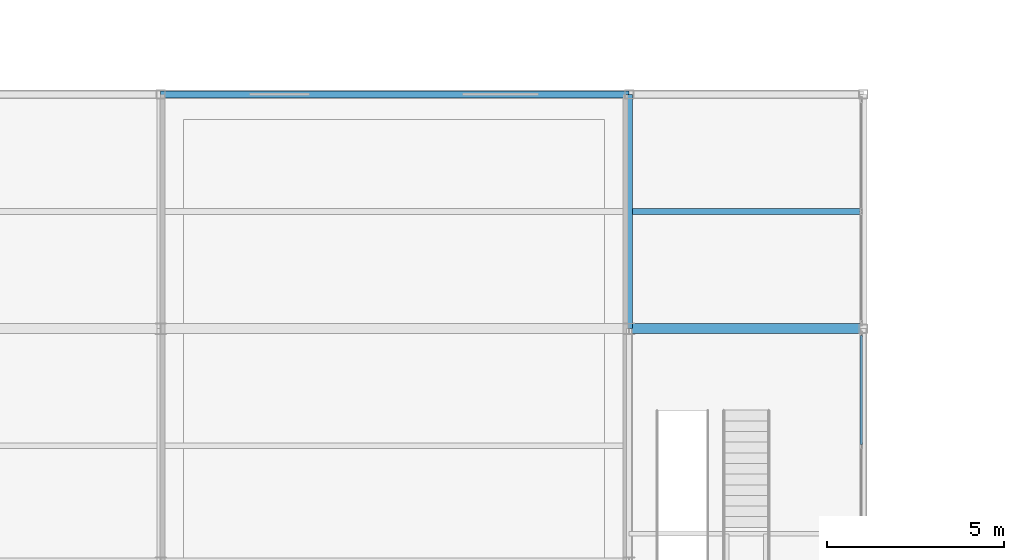
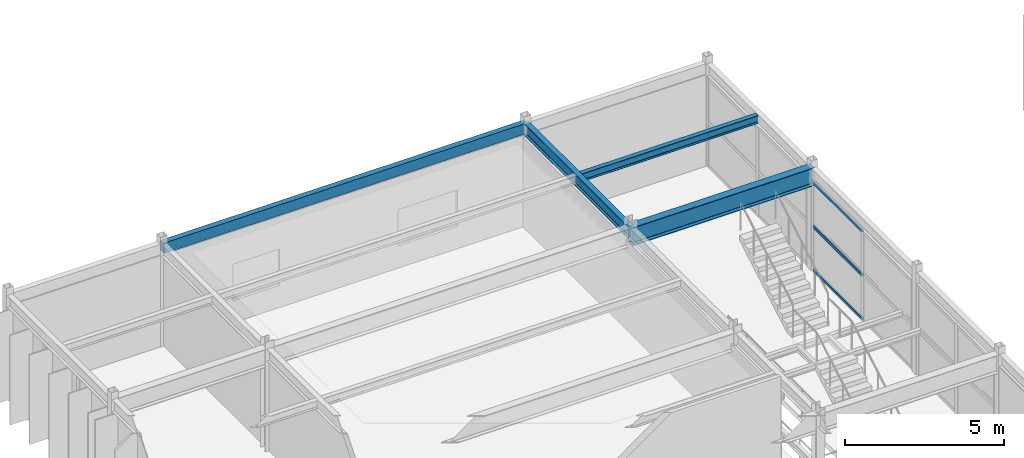
# One storey, part 70 of 147: 4 beams, 3 members, 1 element without a shape of its own.
"""IFC4 building model written with IfcOpenShell, lengths in metres."""

from ifc_helpers import new_model, si_unit, direction, frame, origin, origin_2d, place, context, subcontext, project, spatial, hollow_rectangle, i_section, extrude, material, material_profile, profile_set, type_object, element, aggregate, save


model = new_model("IFC4")

# Units and contexts
model_context = context("Model", 3, precision=1e-05, world=origin(), true_north=direction((0.0, 1.0)))
body_context = subcontext(model_context, "Body", "Model", "MODEL_VIEW")
ifc_project = project(units=[si_unit("LENGTHUNIT", "METRE"), si_unit("AREAUNIT", "SQUARE_METRE"), si_unit("VOLUMEUNIT", "CUBIC_METRE"), si_unit("PLANEANGLEUNIT", "RADIAN"), si_unit("MASSUNIT", "GRAM", prefix="KILO")], contexts=[model_context])

# Site, building, storey
site_placement = place(None, origin())
site = spatial("IfcSite", under=ifc_project, at=site_placement, CompositionType="ELEMENT")
building_placement = place(site_placement, origin())
building = spatial("IfcBuilding", under=site, at=building_placement, Name="Karori Crest Natural Sciences Institute", CompositionType="ELEMENT")
storey_placement = place(building_placement, frame((0.0, 0.0, 9.10009765625)))
storey = spatial("IfcBuildingStorey", under=building, at=storey_placement, Name="L02", CompositionType="ELEMENT", Elevation=9.10009765625)

# Beams
ifc_material_1 = material(Name="Structural steel AS/NZS 3679.1 Grade 350", Category="steel")
ifc_material_profile_1 = material_profile(ifc_material_1, i_section(OverallWidth=0.27490234375, OverallDepth=0.699951171875, WebThickness=0.010009765625, FlangeThickness=0.02001953125, FilletRadius=0.013916015625, at=origin_2d()), Name="700WB150")
ifc_profile_set_1 = profile_set([ifc_material_profile_1], Name="Structural steel AS/NZS 3679.1 Grade 350")
beam_type_1 = type_object("IfcBeamType", Name="BT-03", PredefinedType="BEAM", material=ifc_profile_set_1)
beam_1_placement = place(storey_placement, frame((20.60009765625, 66.800048828125, 3.56982421875), z_axis=(1.0, 0.0, 0.0), x_axis=(0.0, 1.0, 0.0)))
element("IfcBeam", 1, at=beam_1_placement, inside=storey, type_object=beam_type_1, Name="Beam B-1092", PredefinedType="BEAM", context=body_context, shape_type="SweptSolid", body=[
    extrude(i_section(OverallWidth=0.27490234375, OverallDepth=0.699951171875, WebThickness=0.010009765625, FlangeThickness=0.02001953125, FilletRadius=0.013916015625, at=origin_2d()), origin(), (0.0, 0.0, 1.0), 6.599853515625),
])
ifc_material_profile_2 = material_profile(ifc_material_1, i_section(OverallWidth=0.19091796875, OverallDepth=0.4599609375, WebThickness=0.010009765625, FlangeThickness=0.01611328125, FilletRadius=0.010986328125, at=origin_2d()), Name="460UB82.1")
ifc_profile_set_2 = profile_set([ifc_material_profile_2], Name="Structural steel AS/NZS 3679.1 Grade 350")
beam_type_2 = type_object("IfcBeamType", Name="BT-06", PredefinedType="BEAM", material=ifc_profile_set_2)
beam_2_placement = place(storey_placement, frame((20.60009765625, 66.800048828125, 3.68994140625), z_axis=(0.0, 1.0, 0.0), x_axis=(-1.0, 0.0, 0.0)))
element("IfcBeam", 2, at=beam_2_placement, inside=storey, type_object=beam_type_2, Name="Beam B-1116", PredefinedType="BEAM", context=body_context, shape_type="SweptSolid", body=[
    extrude(i_section(OverallWidth=0.19091796875, OverallDepth=0.4599609375, WebThickness=0.010009765625, FlangeThickness=0.01611328125, FilletRadius=0.010986328125, at=origin_2d()), origin(), (0.0, 0.0, 1.0), 6.599853515625),
])
ifc_material_profile_3 = material_profile(ifc_material_1, i_section(OverallWidth=0.166015625, OverallDepth=0.306884765625, WebThickness=0.006591796875, FlangeThickness=0.01171875, FilletRadius=0.010986328125, at=origin_2d()), Name="310UB46.2")
ifc_profile_set_3 = profile_set([ifc_material_profile_3], Name="Structural steel AS/NZS 3679.1 Grade 350")
beam_type_3 = type_object("IfcBeamType", Name="BT-09", PredefinedType="BEAM", material=ifc_profile_set_3)
beam_3_placement = place(storey_placement, frame((20.695556640625, 70.10009765625, 3.766357421875), z_axis=(1.0, 0.0, 0.0), x_axis=(0.0, 1.0, 0.0)))
element("IfcBeam", 3, at=beam_3_placement, inside=storey, type_object=beam_type_3, Name="Beam B-1139", PredefinedType="BEAM", context=body_context, shape_type="SweptSolid", body=[
    extrude(i_section(OverallWidth=0.166015625, OverallDepth=0.306884765625, WebThickness=0.006591796875, FlangeThickness=0.01171875, FilletRadius=0.010986328125, at=origin_2d()), origin(), (0.0, 0.0, 1.0), 6.408935546875),
])
ifc_material_2 = material(Name="Hollow structural steel AS/NZS 1163 Grade C350", Category="steel")
ifc_material_profile_4 = material_profile(ifc_material_2, hollow_rectangle(XDim=0.199951171875, YDim=0.39990234375, WallThickness=0.012451171875, at=origin_2d()), Name="RHS400x200x12.5")
ifc_profile_set_4 = profile_set([ifc_material_profile_4], Name="Hollow structural steel AS/NZS 1163 Grade C350")
beam_type_4 = type_object("IfcBeamType", Name="BT-14", PredefinedType="SPANDREL", material=ifc_profile_set_4)
beam_4_placement = place(storey_placement, frame((7.39990234375, 73.39990234375, 3.719970703125), z_axis=(1.0, 0.0, 0.0), x_axis=(0.0, 1.0, 0.0)))
element("IfcBeam", 4, at=beam_4_placement, inside=storey, type_object=beam_type_4, Name="Beam B-1094", PredefinedType="SPANDREL", context=body_context, shape_type="SweptSolid", body=[
    extrude(hollow_rectangle(XDim=0.199951171875, YDim=0.39990234375, WallThickness=0.012451171875, at=origin_2d()), origin(), (0.0, 0.0, 1.0), 13.2001953125),
])

# Curtain wall, members
ifc_material_3 = material(Name="Anodised architectural aluminium 6063-T6", Category="aluminium")
curtain_wall_type = type_object("IfcCurtainWallType", Name="CWT-18", PredefinedType="NOTDEFINED", material=ifc_material_3)
curtain_wall_placement = place(storey_placement, origin())
curtain_wall = element("IfcCurtainWall", 5, at=curtain_wall_placement, inside=storey, type_object=curtain_wall_type, Name="Curtain wall CW-0276", PredefinedType="NOTDEFINED")
ifc_material_profile_5 = material_profile(ifc_material_3, hollow_rectangle(XDim=0.06005859375, YDim=0.1201171875, WallThickness=0.00390625, at=origin_2d()), Name="CWT120x60x4")
ifc_profile_set_5 = profile_set([ifc_material_profile_5], Name="Anodised architectural aluminium 6063-T6")
member_type = type_object("IfcMemberType", Name="CWT-TR1", PredefinedType="USERDEFINED", material=ifc_profile_set_5)
member_1_placement = place(storey_placement, frame((27.139892578125, 66.612060546875, 0.02978515625), z_axis=(0.0, -1.0, 0.0), x_axis=(1.0, 0.0, 0.0)))
member_1 = element("IfcMember", 6, at=member_1_placement, type_object=member_type, Name="CW-0276 transom 1.1", ObjectType="TRANSOM", PredefinedType="USERDEFINED", context=body_context, shape_type="SweptSolid", body=[
    extrude(hollow_rectangle(XDim=0.06005859375, YDim=0.1201171875, WallThickness=0.00390625, at=origin_2d()), origin(), (0.0, 0.0, 1.0), 3.07958984375),
])
member_2_placement = place(storey_placement, frame((27.139892578125, 66.612060546875, 1.722412109375), z_axis=(0.0, -1.0, 0.0), x_axis=(1.0, 0.0, 0.0)))
member_2 = element("IfcMember", 7, at=member_2_placement, type_object=member_type, Name="CW-0276 transom 1.2", ObjectType="TRANSOM", PredefinedType="USERDEFINED", context=body_context, shape_type="SweptSolid", body=[
    extrude(hollow_rectangle(XDim=0.06005859375, YDim=0.1201171875, WallThickness=0.00390625, at=origin_2d()), origin(), (0.0, 0.0, 1.0), 3.07958984375),
])
member_3_placement = place(storey_placement, frame((27.139892578125, 66.612060546875, 3.414794921875), z_axis=(0.0, -1.0, 0.0), x_axis=(1.0, 0.0, 0.0)))
member_3 = element("IfcMember", 8, at=member_3_placement, type_object=member_type, Name="CW-0276 transom 1.3", ObjectType="TRANSOM", PredefinedType="USERDEFINED", context=body_context, shape_type="SweptSolid", body=[
    extrude(hollow_rectangle(XDim=0.06005859375, YDim=0.1201171875, WallThickness=0.00390625, at=origin_2d()), origin(), (0.0, 0.0, 1.0), 3.07958984375),
])
aggregate(curtain_wall, [member_1, member_2, member_3])

save(model, "model.ifc")
